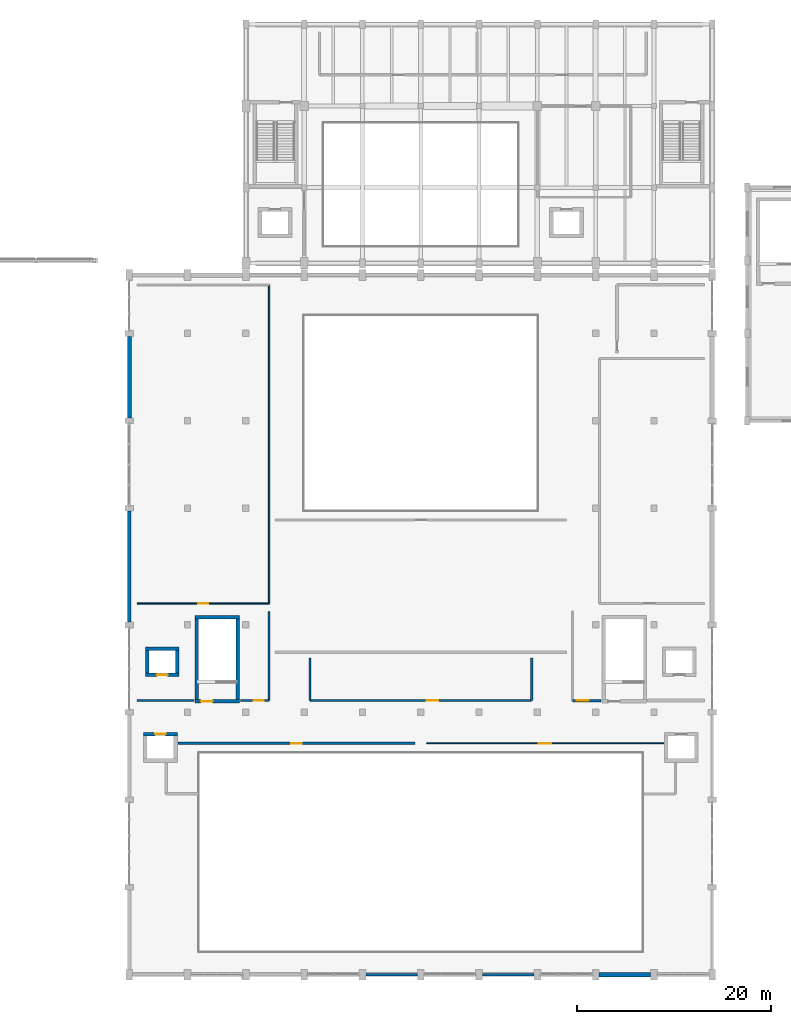
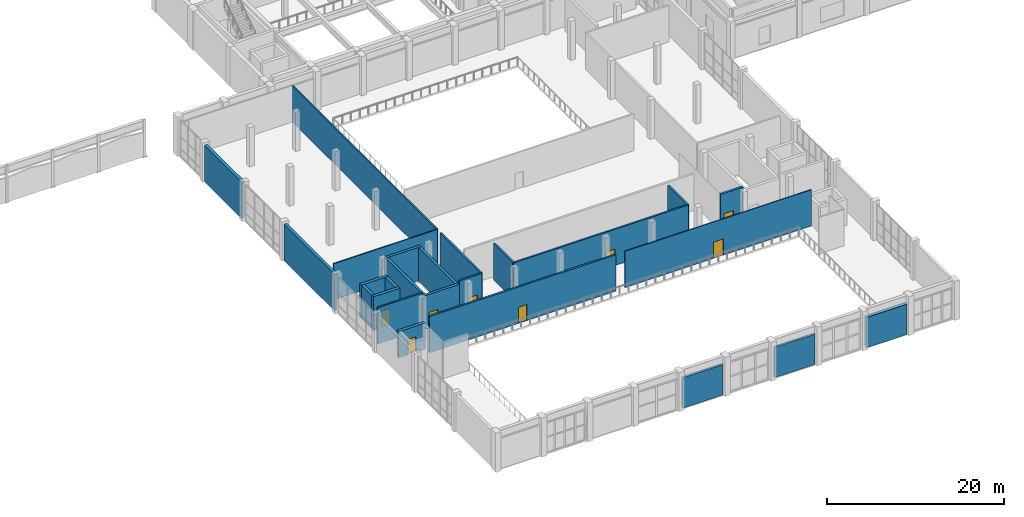
# One storey, part 27 of 41: 25 walls, 9 doors, 9 openings.
"""IFC4 building model written with IfcOpenShell, lengths in metres."""

from ifc_helpers import new_model, si_unit, direction, frame, frame_2d, origin, place, context, subcontext, project, spatial, rectangle, extrude, material, layer, layer_set, type_object, element, fill, save


model = new_model("IFC4")

# Units and contexts
model_context = context("Model", 3, precision=1e-05, world=origin(), true_north=direction((0.0, 1.0)))
body_context = subcontext(model_context, "Body", "Model", "MODEL_VIEW")
ifc_project = project(units=[si_unit("LENGTHUNIT", "METRE"), si_unit("AREAUNIT", "SQUARE_METRE"), si_unit("VOLUMEUNIT", "CUBIC_METRE"), si_unit("PLANEANGLEUNIT", "RADIAN"), si_unit("MASSUNIT", "GRAM", prefix="KILO")], contexts=[model_context])

# Site, building, storey
site_placement = place(None, origin())
site = spatial("IfcSite", under=ifc_project, at=site_placement, CompositionType="ELEMENT")
building_placement = place(site_placement, origin())
building = spatial("IfcBuilding", under=site, at=building_placement, Name="Vaelkrest Opera House", CompositionType="ELEMENT")
storey_placement = place(building_placement, frame((0.0, 0.0, 24.60009765625)))
storey = spatial("IfcBuildingStorey", under=building, at=storey_placement, Name="L05", CompositionType="ELEMENT", Elevation=24.60009765625)

# Walls
ifc_material_1 = material(Name="Douglas fir glulam GL28h", Category="wood")
ifc_layer_1 = layer(ifc_material_1, 0.2548828125)
ifc_layer_set_1 = layer_set([ifc_layer_1], Name="Douglas fir glulam GL28h")
wall_type_1 = type_object("IfcWallType", Name="EW01", PredefinedType="STANDARD", material=ifc_layer_set_1)
wall_1_placement = place(storey_placement, frame((11.652099609375, -55.800048828125, 0.0), z_axis=(0.0, 0.0, 1.0), x_axis=(-1.0, 0.0, 0.0)))
element("IfcWall", 1, at=wall_1_placement, inside=storey, type_object=wall_type_1, Name="Exterior facade wall EW-V1-L05-0121", PredefinedType="STANDARD", context=body_context, shape_type="SweptSolid", body=[
    extrude(rectangle(XDim=5.30419921875, YDim=0.2548828125, at=frame_2d((2.652099609375, 0.0))), origin(), (0.0, 0.0, 1.0), 4.197021484375),
])
ifc_layer_2 = layer(ifc_material_1, 0.27490234375)
ifc_layer_set_2 = layer_set([ifc_layer_2], Name="Douglas fir glulam GL28h")
wall_type_2 = type_object("IfcWallType", Name="EW02", PredefinedType="STANDARD", material=ifc_layer_set_2)
wall_2_placement = place(storey_placement, frame((-0.347900390625, -55.800048828125, 0.0), z_axis=(0.0, 0.0, 1.0), x_axis=(-1.0, 0.0, 0.0)))
element("IfcWall", 2, at=wall_2_placement, inside=storey, type_object=wall_type_2, Name="Exterior facade wall EW-V1-L05-0122", PredefinedType="STANDARD", context=body_context, shape_type="SweptSolid", body=[
    extrude(rectangle(XDim=5.30419921875, YDim=0.27490234375, at=frame_2d((2.652099609375, 0.0))), origin(), (0.0, 0.0, 1.0), 4.197021484375),
])
ifc_material_2 = material(Name="Concrete C40/50", Category="concrete")
ifc_layer_3 = layer(ifc_material_2, 0.385009765625)
ifc_layer_set_3 = layer_set([ifc_layer_3], Name="Concrete C40/50")
wall_type_3 = type_object("IfcWallType", Name="EW07", PredefinedType="STANDARD", material=ifc_layer_set_3)
wall_3_placement = place(storey_placement, frame((-30.0, -19.501953125, 0.0), z_axis=(0.0, 0.0, 1.0), x_axis=(0.0, 1.0, 0.0)))
element("IfcWall", 3, at=wall_3_placement, inside=storey, type_object=wall_type_3, Name="Exterior facade wall EW-V1-L05-0127", PredefinedType="STANDARD", context=body_context, shape_type="SweptSolid", body=[
    extrude(rectangle(XDim=11.404052734375, YDim=0.385009765625, at=frame_2d((5.7021484375, 0.0))), origin(), (0.0, 0.0, 1.0), 5.0498046875),
])
ifc_layer_4 = layer(ifc_material_2, 0.409912109375)
ifc_layer_set_4 = layer_set([ifc_layer_4], Name="Concrete C40/50")
wall_type_4 = type_object("IfcWallType", Name="EW08", PredefinedType="STANDARD", material=ifc_layer_set_4)
wall_4_placement = place(storey_placement, frame((-30.0, 1.498046875, 0.0), z_axis=(0.0, 0.0, 1.0), x_axis=(0.0, 1.0, 0.0)))
element("IfcWall", 4, at=wall_4_placement, inside=storey, type_object=wall_type_4, Name="Exterior facade wall EW-V1-L05-0128", PredefinedType="STANDARD", context=body_context, shape_type="SweptSolid", body=[
    extrude(rectangle(XDim=8.404052734375, YDim=0.409912109375, at=frame_2d((4.2021484375, 0.0))), origin(), (0.0, 0.0, 1.0), 5.0498046875),
])
ifc_layer_5 = layer(ifc_material_2, 0.465087890625)
ifc_layer_set_5 = layer_set([ifc_layer_5], Name="Concrete C40/50")
wall_type_5 = type_object("IfcWallType", Name="EW10", PredefinedType="STANDARD", material=ifc_layer_set_5)
wall_5_placement = place(storey_placement, frame((23.652099609375, -55.800048828125, 0.0), z_axis=(0.0, 0.0, 1.0), x_axis=(-1.0, 0.0, 0.0)))
element("IfcWall", 5, at=wall_5_placement, inside=storey, type_object=wall_type_5, Name="Exterior facade wall EW-V1-L05-0120", PredefinedType="STANDARD", context=body_context, shape_type="SweptSolid", body=[
    extrude(rectangle(XDim=5.30419921875, YDim=0.465087890625, at=frame_2d((2.652099609375, 0.0))), origin(), (0.0, 0.0, 1.0), 4.197021484375),
])

# Wall, opening, door
ifc_material_3 = material(Name="Gypsum acoustic board", Category="gypsum")
ifc_layer_6 = layer(ifc_material_3, 0.1201171875)
ifc_layer_set_6 = layer_set([ifc_layer_6], Name="Gypsum acoustic board")
wall_type_6 = type_object("IfcWallType", Name="PT01", PredefinedType="PARTITIONING", material=ifc_layer_set_6)
wall_6_placement = place(storey_placement, frame((0.60009765625, -32.0, 0.0), z_axis=(0.0, 0.0, 1.0), x_axis=(1.0, 0.0, 0.0)))
wall_6 = element("IfcWall", 6, at=wall_6_placement, inside=storey, type_object=wall_type_6, Name="Interior partition PT-V1-L05-0141", PredefinedType="PARTITIONING", context=body_context, shape_type="SweptSolid", body=[
    extrude(rectangle(XDim=24.39990234375, YDim=0.1201171875, at=frame_2d((12.199951171875, 0.0))), origin(), (0.0, 0.0, 1.0), 5.02001953125),
])
opening_1_placement = place(wall_6_placement, frame((11.550048828125, 0.0, 0.0)))
opening_1 = element("IfcOpeningElement", 7, at=opening_1_placement, cuts=wall_6, Name="Opening D053", PredefinedType="OPENING", context=body_context, shape_type="SweptSolid", body=[
    extrude(rectangle(XDim=1.300048828125, YDim=2.25, at=frame_2d((0.64990234375, 1.125))), frame((0.0, 0.070068359375, 0.0), z_axis=(0.0, -1.0, 0.0), x_axis=(1.0, 0.0, 0.0)), (0.0, 0.0, 1.0), 0.14013671875),
])
ifc_material_4 = material(Name="American black walnut acoustic timber", Category="wood")
door_type_1 = type_object("IfcDoorType", Name="DT09", OperationType="NOTDEFINED", PredefinedType="DOOR", material=ifc_material_4)
door_1_placement = place(opening_1_placement, origin())
door_1 = element("IfcDoor", 8, at=door_1_placement, inside=storey, type_object=door_type_1, Name="Interior door D053 (Technical Control Room)", OperationType="SINGLE_SWING_LEFT", OverallHeight=2.25, OverallWidth=1.300048828125, PredefinedType="DOOR", context=body_context, shape_type="SweptSolid", body=[
    extrude(rectangle(XDim=1.300048828125, YDim=2.25, at=frame_2d((0.64990234375, 1.125))), frame((0.0, 0.02490234375, 0.0), z_axis=(0.0, -1.0, 0.0), x_axis=(1.0, 0.0, 0.0)), (0.0, 0.0, 1.0), 0.050048828125),
])
fill(opening_1, door_1)

ifc_layer_7 = layer(ifc_material_3, 0.135009765625)
ifc_layer_set_7 = layer_set([ifc_layer_7], Name="Gypsum acoustic board")
wall_type_7 = type_object("IfcWallType", Name="PT02", PredefinedType="PARTITIONING", material=ifc_layer_set_7)
wall_7_placement = place(storey_placement, frame((-29.199951171875, -17.60009765625, 0.0), z_axis=(0.0, 0.0, 1.0), x_axis=(1.0, 0.0, 0.0)))
wall_7 = element("IfcWall", 9, at=wall_7_placement, inside=storey, type_object=wall_type_7, Name="Interior partition PT-V1-L05-0128", PredefinedType="PARTITIONING", context=body_context, shape_type="SweptSolid", body=[
    extrude(rectangle(XDim=13.599853515625, YDim=0.135009765625, at=frame_2d((6.7998046875, 0.0))), origin(), (0.0, 0.0, 1.0), 5.02001953125),
])
opening_2_placement = place(wall_7_placement, frame((6.2900390625, 0.0, 0.0)))
opening_2 = element("IfcOpeningElement", 10, at=opening_2_placement, cuts=wall_7, Name="Opening D049", PredefinedType="OPENING", context=body_context, shape_type="SweptSolid", body=[
    extrude(rectangle(XDim=1.02001953125, YDim=2.14990234375, at=frame_2d((0.510009765625, 1.074951171875))), frame((0.0, 0.077392578125, 0.0), z_axis=(0.0, -1.0, 0.0), x_axis=(1.0, 0.0, 0.0)), (0.0, 0.0, 1.0), 0.155029296875),
])
door_type_2 = type_object("IfcDoorType", Name="DT04", OperationType="NOTDEFINED", PredefinedType="DOOR", material=ifc_material_4)
door_2_placement = place(opening_2_placement, origin())
door_2 = element("IfcDoor", 11, at=door_2_placement, inside=storey, type_object=door_type_2, Name="Interior door D049 (Auditorium Acoustic Attic)", OperationType="SINGLE_SWING_LEFT", OverallHeight=2.14990234375, OverallWidth=1.02001953125, PredefinedType="DOOR", context=body_context, shape_type="SweptSolid", body=[
    extrude(rectangle(XDim=1.02001953125, YDim=2.14990234375, at=frame_2d((0.510009765625, 1.074951171875))), frame((0.0, 0.02490234375, 0.0), z_axis=(0.0, -1.0, 0.0), x_axis=(1.0, 0.0, 0.0)), (0.0, 0.0, 1.0), 0.050048828125),
])
fill(opening_2, door_2)

# Walls
ifc_layer_8 = layer(ifc_material_3, 0.1650390625)
ifc_layer_set_8 = layer_set([ifc_layer_8], Name="Gypsum acoustic board")
wall_type_8 = type_object("IfcWallType", Name="PT04", PredefinedType="PARTITIONING", material=ifc_layer_set_8)
wall_8_placement = place(storey_placement, frame((-15.60009765625, -17.60009765625, 0.0), z_axis=(0.0, 0.0, 1.0), x_axis=(0.0, 1.0, 0.0)))
element("IfcWall", 12, at=wall_8_placement, inside=storey, type_object=wall_type_8, Name="Interior partition PT-V1-L05-0130", PredefinedType="PARTITIONING", context=body_context, shape_type="SweptSolid", body=[
    extrude(rectangle(XDim=32.800048828125, YDim=0.1650390625, at=frame_2d((16.39990234375, 0.0))), origin(), (0.0, 0.0, 1.0), 5.02001953125),
])
ifc_layer_9 = layer(ifc_material_4, 0.2099609375)
ifc_layer_set_9 = layer_set([ifc_layer_9], Name="American black walnut acoustic timber")
wall_type_9 = type_object("IfcWallType", Name="PT07", PredefinedType="PARTITIONING", material=ifc_layer_set_9)
wall_9_placement = place(storey_placement, frame((-29.199951171875, -27.60009765625, 0.0), z_axis=(0.0, 0.0, 1.0), x_axis=(1.0, 0.0, 0.0)))
element("IfcWall", 13, at=wall_9_placement, inside=storey, type_object=wall_type_9, Name="Interior partition PT-V1-L05-0143", PredefinedType="PARTITIONING", context=body_context, shape_type="SweptSolid", body=[
    extrude(rectangle(XDim=5.849853515625, YDim=0.2099609375, at=frame_2d((2.9248046875, 0.0))), origin(), (0.0, 0.0, 1.0), 5.02001953125),
])
wall_10_placement = place(storey_placement, frame((-15.60009765625, -27.60009765625, 0.0), z_axis=(0.0, 0.0, 1.0), x_axis=(0.0, 1.0, 0.0)))
element("IfcWall", 14, at=wall_10_placement, inside=storey, type_object=wall_type_9, Name="Interior partition PT-V1-L05-0145", PredefinedType="PARTITIONING", context=body_context, shape_type="SweptSolid", body=[
    extrude(rectangle(XDim=9.2001953125, YDim=0.2099609375, at=frame_2d((4.60009765625, 0.0))), origin(), (0.0, 0.0, 1.0), 5.02001953125),
])

# Wall, opening, door
ifc_layer_10 = layer(ifc_material_4, 0.22509765625)
ifc_layer_set_10 = layer_set([ifc_layer_10], Name="American black walnut acoustic timber")
wall_type_10 = type_object("IfcWallType", Name="PT08", PredefinedType="PARTITIONING", material=ifc_layer_set_10)
wall_11_placement = place(storey_placement, frame((-18.550048828125, -27.60009765625, 0.0), z_axis=(0.0, 0.0, 1.0), x_axis=(1.0, 0.0, 0.0)))
wall_11 = element("IfcWall", 15, at=wall_11_placement, inside=storey, type_object=wall_type_10, Name="Interior partition PT-V1-L05-0144", PredefinedType="PARTITIONING", context=body_context, shape_type="SweptSolid", body=[
    extrude(rectangle(XDim=2.949951171875, YDim=0.22509765625, at=frame_2d((1.47509765625, 0.0))), origin(), (0.0, 0.0, 1.0), 5.02001953125),
])
opening_3_placement = place(wall_11_placement, frame((1.375, 0.0, 0.0)))
opening_3 = element("IfcOpeningElement", 16, at=opening_3_placement, cuts=wall_11, Name="Opening D054", PredefinedType="OPENING", context=body_context, shape_type="SweptSolid", body=[
    extrude(rectangle(XDim=1.0, YDim=2.25, at=frame_2d((0.5, 1.125))), frame((0.0, 0.12255859375, 0.0), z_axis=(0.0, -1.0, 0.0), x_axis=(1.0, 0.0, 0.0)), (0.0, 0.0, 1.0), 0.2451171875),
])
door_type_3 = type_object("IfcDoorType", Name="DT10", OperationType="NOTDEFINED", PredefinedType="DOOR", material=ifc_material_4)
door_3_placement = place(opening_3_placement, origin())
door_3 = element("IfcDoor", 17, at=door_3_placement, inside=storey, type_object=door_type_3, Name="Interior door D054 (Rehearsal Coaching Room)", OperationType="SINGLE_SWING_RIGHT", OverallHeight=2.25, OverallWidth=1.0, PredefinedType="DOOR", context=body_context, shape_type="SweptSolid", body=[
    extrude(rectangle(XDim=1.0, YDim=2.25, at=frame_2d((0.5, 1.125))), frame((0.0, 0.02490234375, 0.0), z_axis=(0.0, -1.0, 0.0), x_axis=(1.0, 0.0, 0.0)), (0.0, 0.0, 1.0), 0.050048828125),
])
fill(opening_3, door_3)

wall_12_placement = place(storey_placement, frame((-11.39990234375, -27.60009765625, 0.0), z_axis=(0.0, 0.0, 1.0), x_axis=(1.0, 0.0, 0.0)))
wall_12 = element("IfcWall", 18, at=wall_12_placement, inside=storey, type_object=wall_type_10, Name="Interior partition PT-V1-L05-0148", PredefinedType="PARTITIONING", context=body_context, shape_type="SweptSolid", body=[
    extrude(rectangle(XDim=22.7998046875, YDim=0.22509765625, at=frame_2d((11.39990234375, 0.0))), origin(), (0.0, 0.0, 1.0), 5.02001953125),
])
opening_4_placement = place(wall_12_placement, frame((12.02490234375, 0.0, 0.0)))
opening_4 = element("IfcOpeningElement", 19, at=opening_4_placement, cuts=wall_12, Name="Opening D056", PredefinedType="OPENING", context=body_context, shape_type="SweptSolid", body=[
    extrude(rectangle(XDim=1.14990234375, YDim=2.300048828125, at=frame_2d((0.574951171875, 1.14990234375))), frame((0.0, 0.12255859375, 0.0), z_axis=(0.0, -1.0, 0.0), x_axis=(1.0, 0.0, 0.0)), (0.0, 0.0, 1.0), 0.2451171875),
])
door_type_4 = type_object("IfcDoorType", Name="DT12", OperationType="NOTDEFINED", PredefinedType="DOOR", material=ifc_material_4)
door_4_placement = place(opening_4_placement, origin())
door_4 = element("IfcDoor", 20, at=door_4_placement, inside=storey, type_object=door_type_4, Name="Interior door D056 (Dimmer Rack Room)", OperationType="SINGLE_SWING_RIGHT", OverallHeight=2.300048828125, OverallWidth=1.14990234375, PredefinedType="DOOR", context=body_context, shape_type="SweptSolid", body=[
    extrude(rectangle(XDim=1.14990234375, YDim=2.300048828125, at=frame_2d((0.574951171875, 1.14990234375))), frame((0.0, 0.02490234375, 0.0), z_axis=(0.0, -1.0, 0.0), x_axis=(1.0, 0.0, 0.0)), (0.0, 0.0, 1.0), 0.050048828125),
])
fill(opening_4, door_4)

ifc_layer_11 = layer(ifc_material_2, 0.239990234375)
ifc_layer_set_11 = layer_set([ifc_layer_11], Name="Concrete C40/50")
wall_type_11 = type_object("IfcWallType", Name="PT09", PredefinedType="PARTITIONING", material=ifc_layer_set_11)
wall_13_placement = place(storey_placement, frame((-25.0, -32.0, 0.0), z_axis=(0.0, 0.0, 1.0), x_axis=(1.0, 0.0, 0.0)))
wall_13 = element("IfcWall", 21, at=wall_13_placement, inside=storey, type_object=wall_type_11, Name="Interior partition PT-V1-L05-0135", PredefinedType="PARTITIONING", context=body_context, shape_type="SweptSolid", body=[
    extrude(rectangle(XDim=24.39990234375, YDim=0.239990234375, at=frame_2d((12.199951171875, 0.0))), origin(), (0.0, 0.0, 1.0), 5.02001953125),
])
opening_5_placement = place(wall_13_placement, frame((11.64990234375, 0.0, 0.0)))
opening_5 = element("IfcOpeningElement", 22, at=opening_5_placement, cuts=wall_13, Name="Opening D051", PredefinedType="OPENING", context=body_context, shape_type="SweptSolid", body=[
    extrude(rectangle(XDim=1.10009765625, YDim=2.199951171875, at=frame_2d((0.550048828125, 1.10009765625))), frame((0.0, 0.1298828125, 0.0), z_axis=(0.0, -1.0, 0.0), x_axis=(1.0, 0.0, 0.0)), (0.0, 0.0, 1.0), 0.260009765625),
])
door_type_5 = type_object("IfcDoorType", Name="DT06", OperationType="NOTDEFINED", PredefinedType="DOOR", material=ifc_material_4)
door_5_placement = place(opening_5_placement, origin())
door_5 = element("IfcDoor", 23, at=door_5_placement, inside=storey, type_object=door_type_5, Name="Interior door D051 (Opera Archive Salon)", OperationType="SINGLE_SWING_LEFT", OverallHeight=2.199951171875, OverallWidth=1.10009765625, PredefinedType="DOOR", context=body_context, shape_type="SweptSolid", body=[
    extrude(rectangle(XDim=1.10009765625, YDim=2.199951171875, at=frame_2d((0.550048828125, 1.10009765625))), frame((0.0, 0.02490234375, 0.0), z_axis=(0.0, -1.0, 0.0), x_axis=(1.0, 0.0, 0.0)), (0.0, 0.0, 1.0), 0.050048828125),
])
fill(opening_5, door_5)

# Walls
wall_14_placement = place(storey_placement, frame((-11.39990234375, -27.60009765625, 0.0), z_axis=(0.0, 0.0, 1.0), x_axis=(0.0, 1.0, 0.0)))
element("IfcWall", 24, at=wall_14_placement, inside=storey, type_object=wall_type_11, Name="Interior partition PT-V1-L05-0149", PredefinedType="PARTITIONING", context=body_context, shape_type="SweptSolid", body=[
    extrude(rectangle(XDim=4.400146484375, YDim=0.239990234375, at=frame_2d((2.2001953125, 0.0))), origin(), (0.0, 0.0, 1.0), 5.02001953125),
])
ifc_layer_12 = layer(ifc_material_2, 0.260009765625)
ifc_layer_set_12 = layer_set([ifc_layer_12], Name="Concrete C40/50")
wall_type_12 = type_object("IfcWallType", Name="PT10", PredefinedType="PARTITIONING", material=ifc_layer_set_12)
wall_15_placement = place(storey_placement, frame((11.39990234375, -27.60009765625, 0.0), z_axis=(0.0, 0.0, 1.0), x_axis=(0.0, 1.0, 0.0)))
element("IfcWall", 25, at=wall_15_placement, inside=storey, type_object=wall_type_12, Name="Interior partition PT-V1-L05-0150", PredefinedType="PARTITIONING", context=body_context, shape_type="SweptSolid", body=[
    extrude(rectangle(XDim=4.400146484375, YDim=0.260009765625, at=frame_2d((2.2001953125, 0.0))), origin(), (0.0, 0.0, 1.0), 5.02001953125),
])

# Wall, opening, door
ifc_layer_13 = layer(ifc_material_2, 0.280029296875)
ifc_layer_set_13 = layer_set([ifc_layer_13], Name="Concrete C40/50")
wall_type_13 = type_object("IfcWallType", Name="PT11", PredefinedType="PARTITIONING", material=ifc_layer_set_13)
wall_16_placement = place(storey_placement, frame((15.60009765625, -27.60009765625, 0.0), z_axis=(0.0, 0.0, 1.0), x_axis=(1.0, 0.0, 0.0)))
wall_16 = element("IfcWall", 26, at=wall_16_placement, inside=storey, type_object=wall_type_13, Name="Interior partition PT-V1-L05-0137", PredefinedType="PARTITIONING", context=body_context, shape_type="SweptSolid", body=[
    extrude(rectangle(XDim=2.949951171875, YDim=0.280029296875, at=frame_2d((1.47509765625, 0.0))), origin(), (0.0, 0.0, 1.0), 5.02001953125),
])
opening_6_placement = place(wall_16_placement, frame((0.455078125, 0.0, 0.0)))
opening_6 = element("IfcOpeningElement", 27, at=opening_6_placement, cuts=wall_16, Name="Opening D052", PredefinedType="OPENING", context=body_context, shape_type="SweptSolid", body=[
    extrude(rectangle(XDim=1.239990234375, YDim=2.199951171875, at=frame_2d((0.6201171875, 1.10009765625))), frame((0.0, 0.14990234375, 0.0), z_axis=(0.0, -1.0, 0.0), x_axis=(1.0, 0.0, 0.0)), (0.0, 0.0, 1.0), 0.300048828125),
])
door_type_6 = type_object("IfcDoorType", Name="DT08", OperationType="NOTDEFINED", PredefinedType="DOOR", material=ifc_material_4)
door_6_placement = place(opening_6_placement, origin())
door_6 = element("IfcDoor", 28, at=door_6_placement, inside=storey, type_object=door_type_6, Name="Interior door D052 (Lighting Control Booth)", OperationType="SINGLE_SWING_RIGHT", OverallHeight=2.199951171875, OverallWidth=1.239990234375, PredefinedType="DOOR", context=body_context, shape_type="SweptSolid", body=[
    extrude(rectangle(XDim=1.239990234375, YDim=2.199951171875, at=frame_2d((0.6201171875, 1.10009765625))), frame((0.0, 0.02490234375, 0.0), z_axis=(0.0, -1.0, 0.0), x_axis=(1.0, 0.0, 0.0)), (0.0, 0.0, 1.0), 0.050048828125),
])
fill(opening_6, door_6)

ifc_material_5 = material(Name="Concrete C50/60", Category="concrete")
ifc_layer_14 = layer(ifc_material_5, 0.35009765625)
ifc_layer_set_14 = layer_set([ifc_layer_14], Name="Concrete C50/60")
wall_type_14 = type_object("IfcWallType", Name="SW01", PredefinedType="SHEAR", material=ifc_layer_set_14)
wall_17_placement = place(storey_placement, frame((-18.64990234375, -27.675048828125, 0.0), z_axis=(0.0, 0.0, 1.0), x_axis=(-1.0, 0.0, 0.0)))
wall_17 = element("IfcWall", 29, at=wall_17_placement, inside=storey, type_object=wall_type_14, Name="Stair core ST01 wall L05 S", PredefinedType="SHEAR", context=body_context, shape_type="SweptSolid", body=[
    extrude(rectangle(XDim=4.60009765625, YDim=0.35009765625, at=frame_2d((2.300048828125, 0.0))), origin(), (0.0, 0.0, 1.0), 4.64501953125),
])
opening_7_placement = place(wall_17_placement, frame((2.77001953125, 0.0, 0.0)))
opening_7 = element("IfcOpeningElement", 30, at=opening_7_placement, cuts=wall_17, Name="Opening SD-ST01-L05", PredefinedType="OPENING", context=body_context, shape_type="SweptSolid", body=[
    extrude(rectangle(XDim=1.179931640625, YDim=2.14990234375, at=frame_2d((0.58984375, 1.074951171875))), frame((0.0, 0.18505859375, 0.0), z_axis=(0.0, -1.0, 0.0), x_axis=(1.0, 0.0, 0.0)), (0.0, 0.0, 1.0), 0.3701171875),
])
door_type_7 = type_object("IfcDoorType", Name="DT07", OperationType="NOTDEFINED", PredefinedType="DOOR", material=ifc_material_4)
door_7_placement = place(opening_7_placement, origin())
door_7 = element("IfcDoor", 31, at=door_7_placement, inside=storey, type_object=door_type_7, Name="Protected stair door SD-ST01-L05", OperationType="SINGLE_SWING_RIGHT", OverallHeight=2.14990234375, OverallWidth=1.179931640625, PredefinedType="DOOR", context=body_context, shape_type="SweptSolid", body=[
    extrude(rectangle(XDim=1.179931640625, YDim=2.14990234375, at=frame_2d((0.58984375, 1.074951171875))), frame((0.0, 0.02490234375, 0.0), z_axis=(0.0, -1.0, 0.0), x_axis=(1.0, 0.0, 0.0)), (0.0, 0.0, 1.0), 0.050048828125),
])
fill(opening_7, door_7)

# Walls
wall_18_placement = place(storey_placement, frame((-23.074951171875, -27.5, 0.0), z_axis=(0.0, 0.0, 1.0), x_axis=(0.0, 1.0, 0.0)))
element("IfcWall", 32, at=wall_18_placement, inside=storey, type_object=wall_type_14, Name="Stair core ST01 wall L05 W", PredefinedType="SHEAR", context=body_context, shape_type="SweptSolid", body=[
    extrude(rectangle(XDim=8.300048828125, YDim=0.35009765625, at=frame_2d((4.14990234375, 0.0))), origin(), (0.0, 0.0, 1.0), 4.64501953125),
])
wall_19_placement = place(storey_placement, frame((-23.25, -19.02490234375, 0.0), z_axis=(0.0, 0.0, 1.0), x_axis=(1.0, 0.0, 0.0)))
element("IfcWall", 33, at=wall_19_placement, inside=storey, type_object=wall_type_14, Name="Stair core ST01 wall L05 N", PredefinedType="SHEAR", context=body_context, shape_type="SweptSolid", body=[
    extrude(rectangle(XDim=4.60009765625, YDim=0.35009765625, at=frame_2d((2.300048828125, 0.0))), origin(), (0.0, 0.0, 1.0), 4.64501953125),
])
wall_20_placement = place(storey_placement, frame((-18.824951171875, -19.199951171875, 0.0), z_axis=(0.0, 0.0, 1.0), x_axis=(0.0, -1.0, 0.0)))
element("IfcWall", 34, at=wall_20_placement, inside=storey, type_object=wall_type_14, Name="Stair core ST01 wall L05 E", PredefinedType="SHEAR", context=body_context, shape_type="SweptSolid", body=[
    extrude(rectangle(XDim=8.300048828125, YDim=0.35009765625, at=frame_2d((4.14990234375, 0.0))), origin(), (0.0, 0.0, 1.0), 4.64501953125),
])

# Wall, opening, door
ifc_layer_15 = layer(ifc_material_5, 0.389892578125)
ifc_layer_set_15 = layer_set([ifc_layer_15], Name="Concrete C50/60")
wall_type_15 = type_object("IfcWallType", Name="SW02", PredefinedType="SHEAR", material=ifc_layer_set_15)
wall_21_placement = place(storey_placement, frame((-24.860107421875, -24.945068359375, 0.0), z_axis=(0.0, 0.0, 1.0), x_axis=(-1.0, 0.0, 0.0)))
wall_21 = element("IfcWall", 35, at=wall_21_placement, inside=storey, type_object=wall_type_15, Name="Lift shaft LP01 wall L05 S", PredefinedType="SHEAR", context=body_context, shape_type="SweptSolid", body=[
    extrude(rectangle(XDim=3.47998046875, YDim=0.389892578125, at=frame_2d((1.739990234375, 0.0))), origin(), (0.0, 0.0, 1.0), 4.64501953125),
])
opening_8_placement = place(wall_21_placement, frame((1.18994140625, 0.0, 0.0)))
opening_8 = element("IfcOpeningElement", 36, at=opening_8_placement, cuts=wall_21, Name="Opening LD-LP01-L05", PredefinedType="OPENING", context=body_context, shape_type="SweptSolid", body=[
    extrude(rectangle(XDim=1.10009765625, YDim=2.14990234375, at=frame_2d((0.550048828125, 1.074951171875))), frame((0.0, 0.204833984375, 0.0), z_axis=(0.0, -1.0, 0.0), x_axis=(1.0, 0.0, 0.0)), (0.0, 0.0, 1.0), 0.409912109375),
])
ifc_material_6 = material(Name="Dark bronze anodized aluminium", Category="aluminium")
door_type_8 = type_object("IfcDoorType", Name="LDT01", OperationType="SLIDING_TO_LEFT", PredefinedType="DOOR", material=ifc_material_6)
door_8_placement = place(opening_8_placement, origin())
door_8 = element("IfcDoor", 37, at=door_8_placement, inside=storey, type_object=door_type_8, Name="Lift landing sliding door LD-LP01-L05", OperationType="SLIDING_TO_LEFT", OverallHeight=2.14990234375, OverallWidth=1.10009765625, PredefinedType="DOOR", context=body_context, shape_type="SweptSolid", body=[
    extrude(rectangle(XDim=1.10009765625, YDim=2.14990234375, at=frame_2d((0.550048828125, 1.074951171875))), frame((0.0, 0.02490234375, 0.0), z_axis=(0.0, -1.0, 0.0), x_axis=(1.0, 0.0, 0.0)), (0.0, 0.0, 1.0), 0.050048828125),
])
fill(opening_8, door_8)

# Walls
wall_22_placement = place(storey_placement, frame((-28.340087890625, -22.2548828125, 0.0), z_axis=(0.0, 0.0, 1.0), x_axis=(1.0, 0.0, 0.0)))
element("IfcWall", 38, at=wall_22_placement, inside=storey, type_object=wall_type_15, Name="Lift shaft LP01 wall L05 N", PredefinedType="SHEAR", context=body_context, shape_type="SweptSolid", body=[
    extrude(rectangle(XDim=3.47998046875, YDim=0.389892578125, at=frame_2d((1.739990234375, 0.0))), origin(), (0.0, 0.0, 1.0), 4.64501953125),
])
for number, where, z_axis, x_axis, name in (
    (39, (-28.14501953125, -24.75, 0.0), (0.0, 0.0, 1.0), (0.0, 1.0, 0.0), "Lift shaft LP01 wall L05 W"),
    (40, (-25.054931640625, -22.449951171875, 0.0), (0.0, 0.0, 1.0), (0.0, -1.0, 0.0), "Lift shaft LP01 wall L05 E"),
):
    element("IfcWall", number, at=place(storey_placement, frame(where, z_axis=z_axis, x_axis=x_axis)), inside=storey, type_object=wall_type_15, Name=name, PredefinedType="SHEAR", context=body_context, shape_type="SweptSolid", body=[
        extrude(rectangle(XDim=2.300048828125, YDim=0.389892578125, at=frame_2d((1.14990234375, 0.0))), origin(), (0.0, 0.0, 1.0), 4.64501953125),
    ])

# Wall, opening, door
wall_23_placement = place(storey_placement, frame((-28.5400390625, -31.054931640625, 0.0), z_axis=(0.0, 0.0, 1.0), x_axis=(1.0, 0.0, 0.0)))
wall_23 = element("IfcWall", 41, at=wall_23_placement, inside=storey, type_object=wall_type_15, Name="Lift shaft LP03 wall L05 N", PredefinedType="SHEAR", context=body_context, shape_type="SweptSolid", body=[
    extrude(rectangle(XDim=3.47998046875, YDim=0.389892578125, at=frame_2d((1.739990234375, 0.0))), origin(), (0.0, 0.0, 1.0), 3.618896484375),
])
opening_9_placement = place(wall_23_placement, frame((1.18994140625, 0.0, 0.0)))
opening_9 = element("IfcOpeningElement", 42, at=opening_9_placement, cuts=wall_23, Name="Opening LD-LP03-L05", PredefinedType="OPENING", context=body_context, shape_type="SweptSolid", body=[
    extrude(rectangle(XDim=1.10009765625, YDim=2.14990234375, at=frame_2d((0.550048828125, 1.074951171875))), frame((0.0, 0.204833984375, 0.0), z_axis=(0.0, -1.0, 0.0), x_axis=(1.0, 0.0, 0.0)), (0.0, 0.0, 1.0), 0.409912109375),
])
door_9_placement = place(opening_9_placement, origin())
door_9 = element("IfcDoor", 43, at=door_9_placement, inside=storey, type_object=door_type_8, Name="Lift landing sliding door LD-LP03-L05", OperationType="SLIDING_TO_LEFT", OverallHeight=2.14990234375, OverallWidth=1.10009765625, PredefinedType="DOOR", context=body_context, shape_type="SweptSolid", body=[
    extrude(rectangle(XDim=1.10009765625, YDim=2.14990234375, at=frame_2d((0.550048828125, 1.074951171875))), frame((0.0, 0.02490234375, 0.0), z_axis=(0.0, -1.0, 0.0), x_axis=(1.0, 0.0, 0.0)), (0.0, 0.0, 1.0), 0.050048828125),
])
fill(opening_9, door_9)

save(model, "model.ifc")
